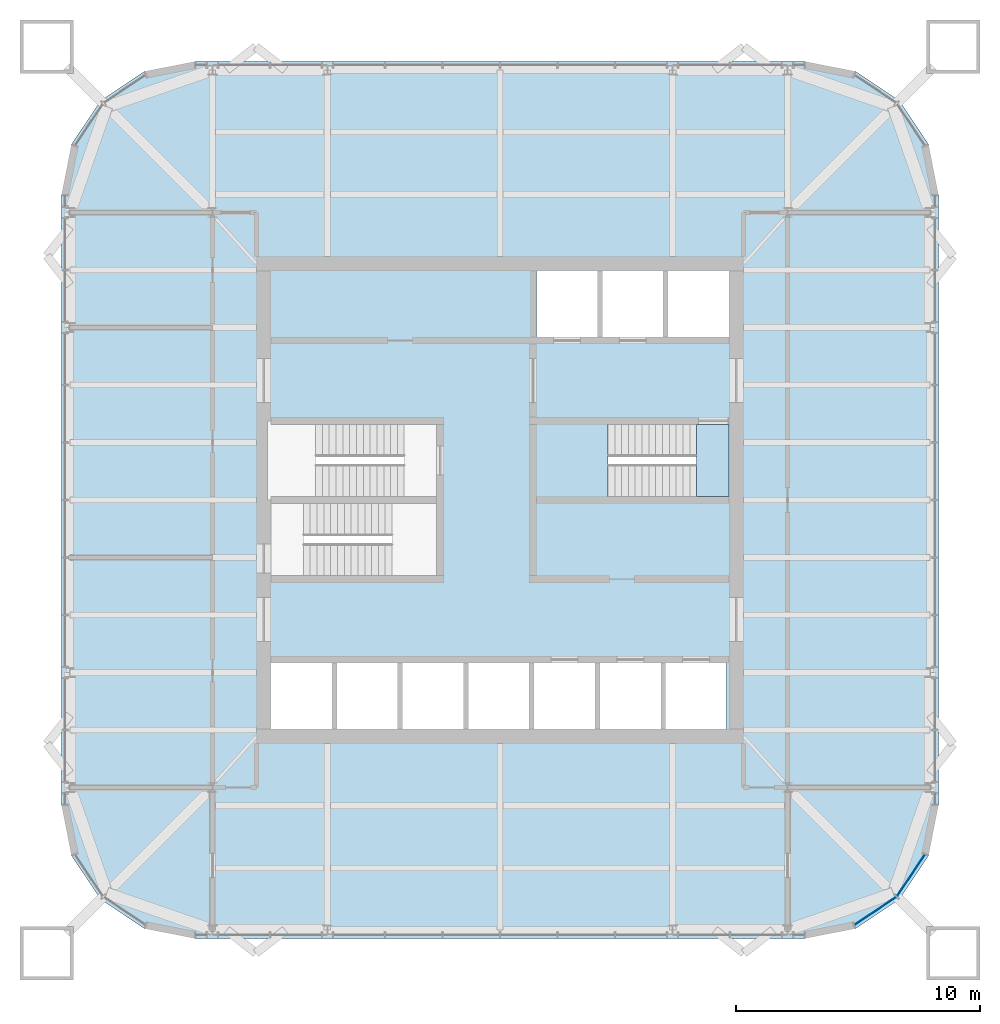
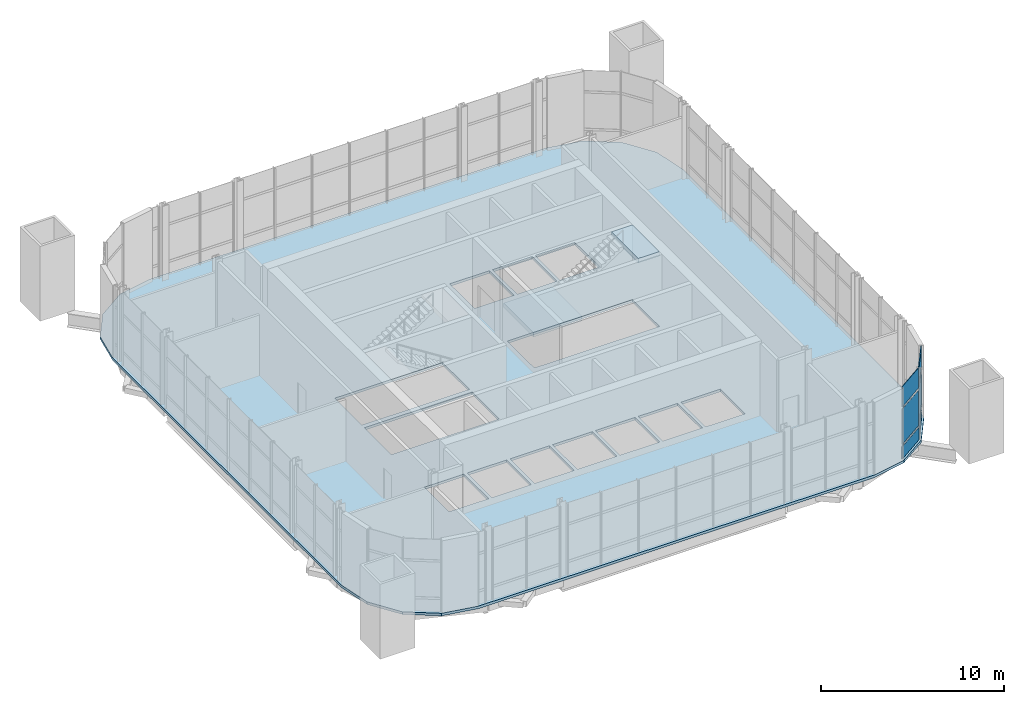
# One storey, part 10 of 15: 6 plates, 3 slabs, 2 elements without a shape of their own.
"""IFC4 building model written with IfcOpenShell, lengths in metres."""

import ifcopenshell
import ifcopenshell.guid

model = None  # the IFC model being written
_history = None  # IfcOwnerHistory: only IFC2X3 demands one
_inside = {}  # id of a spatial element -> (the spatial element, [elements in it])
_under = {}  # id of a project, library or spatial element -> (it, [spatial elements below it])
_declared = {}  # id of a project -> (the project, [libraries it declares])
_typed = {}  # id of a type object -> (the type object, [elements of that type])
_made_of = {}  # id of a material, layer set ... -> (it, [elements and type objects made of it])


def new_model(schema):
    """Start an empty IFC model of exactly this schema.

    Asked for "IFC4X3", IfcOpenShell would pick the latest addendum, in which some entities
    have other attributes; the version numbers below select the first issue.
    IFC2X3 requires an IfcOwnerHistory on every rooted entity: one is made here for all.
    """
    global model, _history
    if schema == "IFC4X3":
        model = ifcopenshell.file(schema_version=(4, 3, 0, 0))
    else:
        model = ifcopenshell.file(schema=schema)
    _inside.clear()
    _under.clear()
    _declared.clear()
    _typed.clear()
    _made_of.clear()
    _history = None
    if model.schema == "IFC2X3":
        org = make("IfcOrganization", Name="unknown")
        user = make(
            "IfcPersonAndOrganization",
            ThePerson=make("IfcPerson", FamilyName="unknown"),
            TheOrganization=org,
        )
        app = make(
            "IfcApplication",
            ApplicationDeveloper=org,
            Version="unknown",
            ApplicationFullName="unknown",
            ApplicationIdentifier="unknown",
        )
        _history = make(
            "IfcOwnerHistory",
            OwningUser=user,
            OwningApplication=app,
            ChangeAction="ADDED",
            CreationDate=0,
        )
    return model


def make(cls, **values):
    """One entity of the class cls with the attributes given. An attribute that is None is left unset."""
    return model.create_entity(
        cls, **{name: value for name, value in values.items() if value is not None}
    )


def rooted(cls, **values):
    """An entity with a GlobalId (a new one), such as an element, a storey or a relation."""
    return make(cls, GlobalId=ifcopenshell.guid.new(), OwnerHistory=_history, **values)


def si_unit(unit_type, name, prefix=None):
    """IfcSIUnit, for example si_unit("LENGTHUNIT", "METRE", prefix="MILLI")."""
    return make("IfcSIUnit", UnitType=unit_type, Prefix=prefix, Name=name)


def assignment(units):
    """IfcUnitAssignment: the units of a project."""
    return None if units is None else make("IfcUnitAssignment", Units=units)


def point(xyz):
    """IfcCartesianPoint."""
    return None if xyz is None else make("IfcCartesianPoint", Coordinates=xyz)


def direction(xyz):
    """IfcDirection."""
    return None if xyz is None else make("IfcDirection", DirectionRatios=xyz)


def frame(location, z_axis=None, x_axis=None):
    """IfcAxis2Placement3D, a coordinate frame: its origin and axes. An axis left out is left unset."""
    return make(
        "IfcAxis2Placement3D",
        Location=point(location),
        Axis=direction(z_axis),
        RefDirection=direction(x_axis),
    )


def frame_2d(location, x_axis=None):
    """IfcAxis2Placement2D, a coordinate frame in the plane: its origin and x axis."""
    return make(
        "IfcAxis2Placement2D", Location=point(location), RefDirection=direction(x_axis)
    )


def origin():
    """The frame at (0, 0, 0) with its axes left unset."""
    return frame((0.0, 0.0, 0.0))


def origin_2d():
    """The frame at (0, 0) in the plane with its x axis left unset."""
    return frame_2d((0.0, 0.0))


def place(relative_to, where):
    """IfcLocalPlacement: puts the frame where relative to a parent placement (None: the world)."""
    return make(
        "IfcLocalPlacement", PlacementRelTo=relative_to, RelativePlacement=where
    )


def context(
    kind, dimensions, precision=None, world=None, true_north=None, identifier=None
):
    """IfcGeometricRepresentationContext, for example the 3D "Model" context."""
    return make(
        "IfcGeometricRepresentationContext",
        ContextIdentifier=identifier,
        ContextType=kind,
        CoordinateSpaceDimension=dimensions,
        Precision=precision,
        WorldCoordinateSystem=world,
        TrueNorth=true_north,
    )


def subcontext(parent, identifier, kind, view, scale=None):
    """IfcGeometricRepresentationSubContext, for example "Body" below "Model"."""
    return make(
        "IfcGeometricRepresentationSubContext",
        ContextIdentifier=identifier,
        ContextType=kind,
        ParentContext=parent,
        TargetScale=scale,
        TargetView=view,
    )


def project(units=None, contexts=None):
    """IfcProject with its units and contexts."""
    return rooted(
        "IfcProject",
        Name="project",
        RepresentationContexts=contexts,
        UnitsInContext=assignment(units),
    )


def spatial(cls, under=None, at=None, **own):
    """A site, building, storey or space (cls), placed at a placement, below another one or the project."""
    s = rooted(cls, ObjectPlacement=at, **own)
    if under is not None:
        _under.setdefault(under.id(), (under, []))[1].append(s)
    return s


def polyline(points):
    """IfcPolyline through the points."""
    return make("IfcPolyline", Points=[point(p) for p in points])


def profile(cls, at=None, kind="AREA", **sizes):
    """A parametric profile (cls). Its sizes go by their IFC names, for example OverallWidth=200.0."""
    return make(cls, ProfileType=kind, Position=at, **sizes)


def rectangle(**sizes):
    """IfcRectangleProfileDef."""
    return profile("IfcRectangleProfileDef", **sizes)


def outline(outer, holes=None, kind="AREA"):
    """IfcArbitraryClosedProfileDef: a profile drawn as a closed curve; with holes, ...WithVoids."""
    if holes is None:
        return make("IfcArbitraryClosedProfileDef", ProfileType=kind, OuterCurve=outer)
    return make(
        "IfcArbitraryProfileDefWithVoids",
        ProfileType=kind,
        OuterCurve=outer,
        InnerCurves=holes,
    )


def extrude(swept, where, along, depth):
    """IfcExtrudedAreaSolid: the profile swept, set in the frame where, extruded along a direction by depth."""
    return make(
        "IfcExtrudedAreaSolid",
        SweptArea=swept,
        Position=where,
        ExtrudedDirection=direction(along),
        Depth=depth,
    )


def shape(context_of_items, identifier, shape_type, items):
    """IfcShapeRepresentation: the items that make up one representation, for example the "Body"."""
    return make(
        "IfcShapeRepresentation",
        ContextOfItems=context_of_items,
        RepresentationIdentifier=identifier,
        RepresentationType=shape_type,
        Items=items,
    )


def material(Name=None, Category=None):
    """IfcMaterial."""
    return make("IfcMaterial", Name=Name, Category=Category)


def layer(
    of_material, thickness, ventilated=None, Name=None, Category=None, Priority=None
):
    """IfcMaterialLayer: one layer of a wall or slab, of a material (None: an air gap)."""
    return make(
        "IfcMaterialLayer",
        Material=of_material,
        LayerThickness=thickness,
        IsVentilated=ventilated,
        Name=Name,
        Category=Category,
        Priority=Priority,
    )


def layer_set(layers, Name=None):
    """IfcMaterialLayerSet."""
    return make("IfcMaterialLayerSet", MaterialLayers=layers, LayerSetName=Name)


def made_of(thing, what):
    """Note that an element or type object is made of a material, layer set ...; save() writes the relation."""
    if what is not None:
        _made_of.setdefault(what.id(), (what, []))[1].append(thing)
    return thing


def type_object(cls, material=None, **own):
    """A type object (cls), such as IfcWallType, which elements share."""
    return made_of(rooted(cls, **own), material)


def element(
    cls,
    number,
    at=None,
    inside=None,
    cuts=None,
    type_object=None,
    material=None,
    context=None,
    identifier="Body",
    shape_type=None,
    held_by="IfcProductDefinitionShape",
    body=None,
    shapes=None,
    **own,
):
    """One element of the class cls, such as IfcWall. Its Tag is "e" and its number.

    at: its placement. inside: the storey or other place that contains it. cuts: it is an
    opening in that element (IfcRelVoidsElement). A single representation is given by context,
    identifier, shape_type and body (its items); several are given by shapes. held_by: the class
    of the entity that holds the representations. save() writes the other relations.
    """
    e = rooted(cls, Tag="e%d" % number, ObjectPlacement=at, **own)
    if body is not None:
        shapes = [shape(context, identifier, shape_type, body)]
    if shapes is not None:
        e.Representation = make(held_by, Representations=shapes)
    if inside is not None:
        _inside.setdefault(inside.id(), (inside, []))[1].append(e)
    if cuts is not None:
        rooted(
            "IfcRelVoidsElement", RelatingBuildingElement=cuts, RelatedOpeningElement=e
        )
    if type_object is not None:
        _typed.setdefault(type_object.id(), (type_object, []))[1].append(e)
    return made_of(e, material)


def aggregate(whole, parts):
    """IfcRelAggregates: a whole, such as a stair, and the parts it consists of."""
    return rooted("IfcRelAggregates", RelatingObject=whole, RelatedObjects=parts)


def save(model, path):
    """Write the relations noted so far, then the file.

    IfcRelAggregates (storeys below a building ...), IfcRelContainedInSpatialStructure (elements
    in a storey), IfcRelDefinesByType, IfcRelAssociatesMaterial and IfcRelDeclares: one each for
    every whole, place, type object, material and project.
    """
    for whole, parts in _under.values():
        aggregate(whole, parts)
    for where, things in _inside.values():
        rooted(
            "IfcRelContainedInSpatialStructure",
            RelatedElements=things,
            RelatingStructure=where,
        )
    for kind, things in _typed.values():
        rooted("IfcRelDefinesByType", RelatedObjects=things, RelatingType=kind)
    for what, things in _made_of.values():
        rooted("IfcRelAssociatesMaterial", RelatedObjects=things, RelatingMaterial=what)
    for by, libraries in _declared.values():
        rooted("IfcRelDeclares", RelatingContext=by, RelatedDefinitions=libraries)
    model.write(path)


model = new_model("IFC4")

# Units and contexts
model_context = context("Model", 3, precision=1e-05, world=origin(), true_north=direction((0.0, 1.0)))
body_context = subcontext(model_context, "Body", "Model", "MODEL_VIEW")
ifc_project = project(units=[si_unit("LENGTHUNIT", "METRE"), si_unit("AREAUNIT", "SQUARE_METRE"), si_unit("VOLUMEUNIT", "CUBIC_METRE"), si_unit("PLANEANGLEUNIT", "RADIAN"), si_unit("MASSUNIT", "GRAM", prefix="KILO")], contexts=[model_context])

# Site, building, storey
site_placement = place(None, origin())
site = spatial("IfcSite", under=ifc_project, at=site_placement, CompositionType="ELEMENT")
building_placement = place(site_placement, origin())
building = spatial("IfcBuilding", under=site, at=building_placement, Name="Turquesa Mirador Hotel Tower", CompositionType="ELEMENT")
storey_placement = place(building_placement, frame((0.0, 0.0, 261.699951171875)))
storey = spatial("IfcBuildingStorey", under=building, at=storey_placement, Name="L71", CompositionType="ELEMENT", Elevation=261.699951171875)

# Slab
ifc_material_1 = material(Name="Concrete C28/35", Category="concrete")
ifc_layer_1 = layer(ifc_material_1, 0.169921875)
ifc_layer_set_1 = layer_set([ifc_layer_1], Name="COMPOSITE FLOOR SLAB 170")
slab_type_1 = type_object("IfcSlabType", Name="COMPOSITE FLOOR SLAB 170", PredefinedType="FLOOR", material=ifc_layer_set_1)
slab_1_placement = place(storey_placement, frame((0.0, 0.0, -0.169921875)))
element("IfcSlab", 1, at=slab_1_placement, inside=storey, type_object=slab_type_1, Name="Floor slab L71", PredefinedType="FLOOR", context=body_context, shape_type="SweptSolid", body=[
    extrude(outline(polyline([(67.5, 27.0), (69.604736328125, 27.418701171875), (71.38916015625, 28.61083984375), (72.581298828125, 30.395263671875), (73.0, 32.5), (73.0, 57.5), (72.581298828125, 59.604736328125), (71.38916015625, 61.38916015625), (69.604736328125, 62.581298828125), (67.5, 63.0), (42.5, 63.0), (40.395263671875, 62.581298828125), (38.61083984375, 61.38916015625), (37.418701171875, 59.604736328125), (37.0, 57.5), (37.0, 32.5), (37.418701171875, 30.395263671875), (38.61083984375, 28.61083984375), (40.395263671875, 27.418701171875), (42.5, 27.0), (67.5, 27.0)]), holes=[polyline([(56.5, 51.699951171875), (59.0, 51.699951171875), (59.0, 54.39990234375), (56.5, 54.39990234375), (56.5, 51.699951171875)]), polyline([(59.199951171875, 51.699951171875), (61.699951171875, 51.699951171875), (61.699951171875, 54.39990234375), (59.199951171875, 54.39990234375), (59.199951171875, 51.699951171875)]), polyline([(45.60009765625, 35.60009765625), (48.10009765625, 35.60009765625), (48.10009765625, 38.300048828125), (45.60009765625, 38.300048828125), (45.60009765625, 35.60009765625)]), polyline([(48.300048828125, 35.60009765625), (50.800048828125, 35.60009765625), (50.800048828125, 38.300048828125), (48.300048828125, 38.300048828125), (48.300048828125, 35.60009765625)]), polyline([(51.0, 35.60009765625), (53.5, 35.60009765625), (53.5, 38.300048828125), (51.0, 38.300048828125), (51.0, 35.60009765625)]), polyline([(53.699951171875, 35.60009765625), (56.199951171875, 35.60009765625), (56.199951171875, 38.300048828125), (53.699951171875, 38.300048828125), (53.699951171875, 35.60009765625)]), polyline([(56.39990234375, 35.60009765625), (58.89990234375, 35.60009765625), (58.89990234375, 38.300048828125), (56.39990234375, 38.300048828125), (56.39990234375, 35.60009765625)]), polyline([(59.10009765625, 35.60009765625), (61.60009765625, 35.60009765625), (61.60009765625, 38.300048828125), (59.10009765625, 38.300048828125), (59.10009765625, 35.60009765625)]), polyline([(61.800048828125, 35.60009765625), (64.300048828125, 35.60009765625), (64.300048828125, 38.300048828125), (61.800048828125, 38.300048828125), (61.800048828125, 35.60009765625)]), polyline([(45.60009765625, 45.14990234375), (52.39990234375, 45.14990234375), (52.39990234375, 48.10009765625), (45.60009765625, 48.10009765625), (45.60009765625, 45.14990234375)]), polyline([(45.60009765625, 41.89990234375), (52.39990234375, 41.89990234375), (52.39990234375, 44.85009765625), (45.60009765625, 44.85009765625), (45.60009765625, 41.89990234375)]), polyline([(56.5, 45.14990234375), (64.39990234375, 45.14990234375), (64.39990234375, 48.10009765625), (56.5, 48.10009765625), (56.5, 45.14990234375)]), polyline([(61.89990234375, 51.699951171875), (64.39990234375, 51.699951171875), (64.39990234375, 54.39990234375), (61.89990234375, 54.39990234375), (61.89990234375, 51.699951171875)])]), origin(), (0.0, 0.0, 1.0), 0.169921875),
])

# Curtain wall, plates
ifc_material_2 = material(Name="Aluminium extrusion", Category="aluminium")
curtain_wall_type = type_object("IfcCurtainWallType", Name="CW-5 SKY RESTAURANT CURTAIN WALL", PredefinedType="USERDEFINED", material=ifc_material_2)
curtain_wall_placement = place(storey_placement, origin())
curtain_wall = element("IfcCurtainWall", 2, at=curtain_wall_placement, inside=storey, type_object=curtain_wall_type, Name="CW-5 SKY RESTAURANT CURTAIN WALL L71", ObjectType="CURTAIN WALL", PredefinedType="USERDEFINED")
ifc_material_3 = material(Name="Ceramic-printed spandrel glass on an insulated back pan", Category="glass")
ifc_layer_2 = layer(ifc_material_3, 0.050048828125)
ifc_layer_set_2 = layer_set([ifc_layer_2], Name="CW PANEL SPANDREL CERAMIC")
plate_type_1 = type_object("IfcPlateType", Name="CW PANEL SPANDREL CERAMIC", PredefinedType="CURTAIN_PANEL", material=ifc_layer_set_2)
plate_1_placement = place(storey_placement, frame((70.415283203125, 28.13720703125, 0.0), z_axis=(0.0, 0.0, 1.0), x_axis=(0.831469673284, 0.555570141754, 0.0)))
plate_1 = element("IfcPlate", 3, at=plate_1_placement, type_object=plate_type_1, Name="Panel", PredefinedType="CURTAIN_PANEL", context=body_context, shape_type="SweptSolid", body=[
    extrude(rectangle(XDim=2.0224609375, YDim=0.050048828125, at=origin_2d()), origin(), (0.0, 0.0, 1.0), 0.824951171875),
])
plate_2_placement = place(storey_placement, frame((71.86279296875, 29.584716796875, 0.0), z_axis=(0.0, 0.0, 1.0), x_axis=(0.555570141754, 0.831469673284, 0.0)))
plate_2 = element("IfcPlate", 4, at=plate_2_placement, type_object=plate_type_1, Name="Panel", PredefinedType="CURTAIN_PANEL", context=body_context, shape_type="SweptSolid", body=[
    extrude(rectangle(XDim=2.0224609375, YDim=0.050048828125, at=origin_2d()), origin(), (0.0, 0.0, 1.0), 0.824951171875),
])
ifc_material_4 = material(Name="Ceramic-fritted laminated glass", Category="glass")
ifc_layer_3 = layer(ifc_material_4, 0.031982421875)
ifc_layer_set_3 = layer_set([ifc_layer_3], Name="CW PANEL VISION FRITTED")
plate_type_2 = type_object("IfcPlateType", Name="CW PANEL VISION FRITTED", PredefinedType="CURTAIN_PANEL", material=ifc_layer_set_3)
plate_3_placement = place(storey_placement, frame((70.415283203125, 28.13720703125, 0.97509765625), z_axis=(0.0, 0.0, 1.0), x_axis=(0.831469673284, 0.555570141754, 0.0)))
plate_3 = element("IfcPlate", 5, at=plate_3_placement, type_object=plate_type_2, Name="Panel", PredefinedType="CURTAIN_PANEL", context=body_context, shape_type="SweptSolid", body=[
    extrude(rectangle(XDim=2.0224609375, YDim=0.031982421875, at=origin_2d()), origin(), (0.0, 0.0, 1.0), 2.35009765625),
])
plate_4_placement = place(storey_placement, frame((70.415283203125, 28.13720703125, 3.47509765625), z_axis=(0.0, 0.0, 1.0), x_axis=(0.831469673284, 0.555570141754, 0.0)))
plate_4 = element("IfcPlate", 6, at=plate_4_placement, type_object=plate_type_2, Name="Panel", PredefinedType="CURTAIN_PANEL", context=body_context, shape_type="SweptSolid", body=[
    extrude(rectangle(XDim=2.0224609375, YDim=0.031982421875, at=origin_2d()), origin(), (0.0, 0.0, 1.0), 1.35498046875),
])
plate_5_placement = place(storey_placement, frame((71.86279296875, 29.584716796875, 0.97509765625), z_axis=(0.0, 0.0, 1.0), x_axis=(0.555570141754, 0.831469673284, 0.0)))
plate_5 = element("IfcPlate", 7, at=plate_5_placement, type_object=plate_type_2, Name="Panel", PredefinedType="CURTAIN_PANEL", context=body_context, shape_type="SweptSolid", body=[
    extrude(rectangle(XDim=2.0224609375, YDim=0.031982421875, at=origin_2d()), origin(), (0.0, 0.0, 1.0), 2.35009765625),
])
plate_6_placement = place(storey_placement, frame((71.86279296875, 29.584716796875, 3.47509765625), z_axis=(0.0, 0.0, 1.0), x_axis=(0.555570141754, 0.831469673284, 0.0)))
plate_6 = element("IfcPlate", 8, at=plate_6_placement, type_object=plate_type_2, Name="Panel", PredefinedType="CURTAIN_PANEL", context=body_context, shape_type="SweptSolid", body=[
    extrude(rectangle(XDim=2.0224609375, YDim=0.031982421875, at=origin_2d()), origin(), (0.0, 0.0, 1.0), 1.35498046875),
])
aggregate(curtain_wall, [plate_1, plate_3, plate_4, plate_2, plate_5, plate_6])

# Stair, slabs
ifc_material_5 = material(Name="Concrete C35/45", Category="concrete")
stair_type = type_object("IfcStairType", Name="ESCAPE STAIR CORE", PredefinedType="HALF_TURN_STAIR", material=ifc_material_5)
stair_placement = place(storey_placement, origin())
stair = element("IfcStair", 9, at=stair_placement, inside=storey, type_object=stair_type, Name="Stair ST3 L71 to L72", PredefinedType="HALF_TURN_STAIR")
ifc_material_6 = material(Name="Concrete C35/45", Category="concrete")
ifc_layer_4 = layer(ifc_material_6, 0.300048828125)
ifc_layer_set_4 = layer_set([ifc_layer_4], Name="STAIR LANDING 300")
slab_type_2 = type_object("IfcSlabType", Name="STAIR LANDING 300", PredefinedType="LANDING", material=ifc_layer_set_4)
slab_2_placement = place(storey_placement, frame((0.0, 0.0, 2.199951171875)))
slab_2 = element("IfcSlab", 10, at=slab_2_placement, type_object=slab_type_2, Name="ST3 landing 1", PredefinedType="LANDING", context=body_context, shape_type="SweptSolid", body=[
    extrude(outline(polyline([(56.35009765625, 45.0), (59.429931640625, 45.0), (59.429931640625, 48.25), (56.35009765625, 48.25), (56.35009765625, 45.0)])), origin(), (0.0, 0.0, 1.0), 0.300048828125),
])
slab_3_placement = place(storey_placement, frame((0.0, 0.0, 4.699951171875)))
slab_3 = element("IfcSlab", 11, at=slab_3_placement, type_object=slab_type_2, Name="ST3 landing 2", PredefinedType="LANDING", context=body_context, shape_type="SweptSolid", body=[
    extrude(outline(polyline([(63.070068359375, 45.14990234375), (64.39990234375, 45.14990234375), (64.39990234375, 48.10009765625), (63.070068359375, 48.10009765625), (63.070068359375, 45.14990234375)])), origin(), (0.0, 0.0, 1.0), 0.300048828125),
])
aggregate(stair, [slab_2, slab_3])

save(model, "model.ifc")
